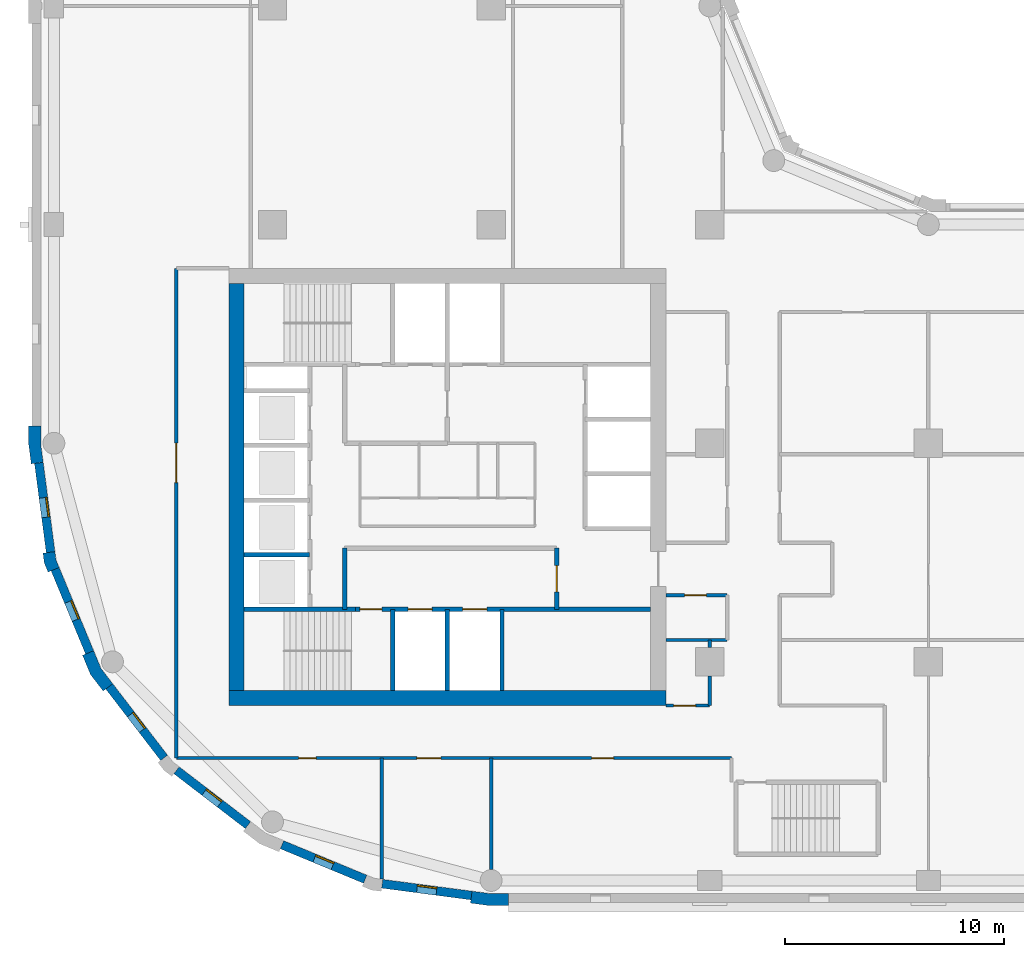
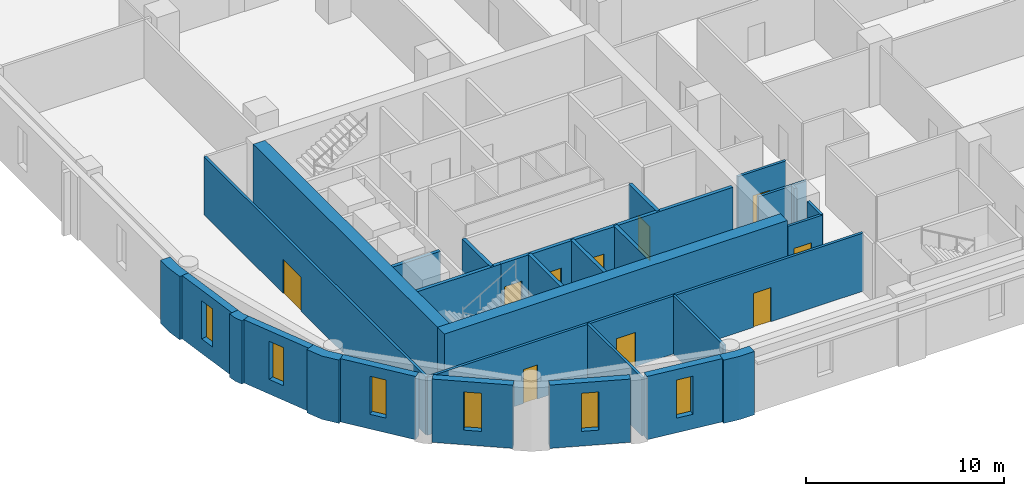
# One storey, part 2 of 9: 29 walls, 10 doors, 6 windows, 16 openings.
"""IFC4 building model written with IfcOpenShell, lengths in metres."""

from ifc_helpers import new_model, si_unit, direction, frame, frame_2d, origin, place, context, subcontext, project, spatial, polyline, rectangle, outline, extrude, material, layer, layer_set, type_object, element, fill, save


model = new_model("IFC4")

# Units and contexts
model_context = context("Model", 3, precision=1e-05, world=origin(), true_north=direction((0.0, 1.0)))
body_context = subcontext(model_context, "Body", "Model", "MODEL_VIEW")
ifc_project = project(units=[si_unit("LENGTHUNIT", "METRE"), si_unit("AREAUNIT", "SQUARE_METRE"), si_unit("VOLUMEUNIT", "CUBIC_METRE"), si_unit("PLANEANGLEUNIT", "RADIAN"), si_unit("MASSUNIT", "GRAM", prefix="KILO")], contexts=[model_context])

# Site, building, storey
site_placement = place(None, origin())
site = spatial("IfcSite", under=ifc_project, at=site_placement, CompositionType="ELEMENT")
building_placement = place(site_placement, origin())
building = spatial("IfcBuilding", under=site, at=building_placement, Name="Qaws Garden Tower", CompositionType="ELEMENT")
storey_placement = place(building_placement, frame((0.0, 0.0, 162.89990234375)))
storey = spatial("IfcBuildingStorey", under=building, at=storey_placement, Name="L39", CompositionType="ELEMENT", Elevation=162.89990234375)

# Wall, opening, window
ifc_material_1 = material(Name="Clay facing brick masonry", Category="masonry")
ifc_layer_1 = layer(ifc_material_1, 0.39990234375)
ifc_layer_set_1 = layer_set([ifc_layer_1], Name="Clay facing brick masonry")
wall_type_1 = type_object("IfcWallType", Name="Brick infill wall 400", PredefinedType="SOLIDWALL", material=ifc_layer_set_1)
wall_1_placement = place(storey_placement, frame((-0.688720703125, 19.102294921875, 0.0), z_axis=(0.0, 0.0, 1.0), x_axis=(0.130514280502, -0.991446429508, 0.0)))
wall_1 = element("IfcWall", 1, at=wall_1_placement, inside=storey, type_object=wall_type_1, Name="E-L39-infill-25", PredefinedType="SOLIDWALL", context=body_context, shape_type="SweptSolid", body=[
    extrude(rectangle(XDim=4.120849609375, YDim=0.39990234375, at=frame_2d((2.060546875, 0.0))), origin(), (0.0, 0.0, 1.0), 3.900146484375),
])
opening_1_placement = place(wall_1_placement, frame((1.610595703125, 0.0, 0.89990234375)))
opening_1 = element("IfcOpeningElement", 2, at=opening_1_placement, cuts=wall_1, Name="Opening W09", PredefinedType="OPENING", context=body_context, shape_type="SweptSolid", body=[
    extrude(rectangle(XDim=0.89990234375, YDim=2.35009765625, at=frame_2d((0.449951171875, 1.175048828125))), frame((0.0, 0.2099609375, 0.0), z_axis=(0.0, -1.0, 0.0), x_axis=(1.0, 0.0, 0.0)), (0.0, 0.0, 1.0), 0.419921875),
])
ifc_material_2 = material(Name="Aluminium framed window, clear glazing", Category="aluminium")
window_type = type_object("IfcWindowType", Name="Slit window 900 x 2350", PartitioningType="SINGLE_PANEL", PredefinedType="WINDOW", material=ifc_material_2)
window_1_placement = place(opening_1_placement, origin())
window_1 = element("IfcWindow", 3, at=window_1_placement, inside=storey, type_object=window_type, Name="E-L39-window-25-0", OverallHeight=2.35009765625, OverallWidth=0.89990234375, PartitioningType="SINGLE_PANEL", PredefinedType="WINDOW", context=body_context, shape_type="SweptSolid", body=[
    extrude(rectangle(XDim=0.89990234375, YDim=2.35009765625, at=frame_2d((0.449951171875, 1.175048828125))), frame((0.0, 0.159912109375, 0.0), z_axis=(0.0, -1.0, 0.0), x_axis=(1.0, 0.0, 0.0)), (0.0, 0.0, 1.0), 0.06005859375),
])
fill(opening_1, window_1)

wall_2_placement = place(storey_placement, frame((0.05712890625, 14.240234375, 0.0), z_axis=(0.0, 0.0, 1.0), x_axis=(0.382721546029, -0.923863744394, 0.0)))
wall_2 = element("IfcWall", 4, at=wall_2_placement, inside=storey, type_object=wall_type_1, Name="E-L39-infill-26", PredefinedType="SOLIDWALL", context=body_context, shape_type="SweptSolid", body=[
    extrude(rectangle(XDim=4.120849609375, YDim=0.39990234375, at=frame_2d((2.060546875, 0.0))), origin(), (0.0, 0.0, 1.0), 3.900146484375),
])
opening_2_placement = place(wall_2_placement, frame((1.610595703125, 0.0, 0.89990234375)))
opening_2 = element("IfcOpeningElement", 5, at=opening_2_placement, cuts=wall_2, Name="Opening W09", PredefinedType="OPENING", context=body_context, shape_type="SweptSolid", body=[
    extrude(rectangle(XDim=0.89990234375, YDim=2.35009765625, at=frame_2d((0.449951171875, 1.175048828125))), frame((0.0, 0.2099609375, 0.0), z_axis=(0.0, -1.0, 0.0), x_axis=(1.0, 0.0, 0.0)), (0.0, 0.0, 1.0), 0.419921875),
])
window_2_placement = place(opening_2_placement, origin())
window_2 = element("IfcWindow", 6, at=window_2_placement, inside=storey, type_object=window_type, Name="E-L39-window-26-0", OverallHeight=2.35009765625, OverallWidth=0.89990234375, PartitioningType="SINGLE_PANEL", PredefinedType="WINDOW", context=body_context, shape_type="SweptSolid", body=[
    extrude(rectangle(XDim=0.89990234375, YDim=2.35009765625, at=frame_2d((0.449951171875, 1.175048828125))), frame((0.0, 0.159912109375, 0.0), z_axis=(0.0, -1.0, 0.0), x_axis=(1.0, 0.0, 0.0)), (0.0, 0.0, 1.0), 0.06005859375),
])
fill(opening_2, window_2)

wall_3_placement = place(storey_placement, frame((2.53173828125, 8.87841796875, 0.0), z_axis=(0.0, 0.0, 1.0), x_axis=(0.608759824817, -0.793354571229, 0.0)))
wall_3 = element("IfcWall", 7, at=wall_3_placement, inside=storey, type_object=wall_type_1, Name="E-L39-infill-27", PredefinedType="SOLIDWALL", context=body_context, shape_type="SweptSolid", body=[
    extrude(rectangle(XDim=4.12109375, YDim=0.39990234375, at=frame_2d((2.060546875, 0.0))), origin(), (0.0, 0.0, 1.0), 3.900146484375),
])
opening_3_placement = place(wall_3_placement, frame((1.610595703125, 0.0, 0.89990234375)))
opening_3 = element("IfcOpeningElement", 8, at=opening_3_placement, cuts=wall_3, Name="Opening W09", PredefinedType="OPENING", context=body_context, shape_type="SweptSolid", body=[
    extrude(rectangle(XDim=0.89990234375, YDim=2.35009765625, at=frame_2d((0.449951171875, 1.175048828125))), frame((0.0, 0.2099609375, 0.0), z_axis=(0.0, -1.0, 0.0), x_axis=(1.0, 0.0, 0.0)), (0.0, 0.0, 1.0), 0.419921875),
])
window_3_placement = place(opening_3_placement, origin())
window_3 = element("IfcWindow", 9, at=window_3_placement, inside=storey, type_object=window_type, Name="E-L39-window-27-0", OverallHeight=2.35009765625, OverallWidth=0.89990234375, PartitioningType="SINGLE_PANEL", PredefinedType="WINDOW", context=body_context, shape_type="SweptSolid", body=[
    extrude(rectangle(XDim=0.89990234375, YDim=2.35009765625, at=frame_2d((0.449951171875, 1.175048828125))), frame((0.0, 0.159912109375, 0.0), z_axis=(0.0, -1.0, 0.0), x_axis=(1.0, 0.0, 0.0)), (0.0, 0.0, 1.0), 0.06005859375),
])
fill(opening_3, window_3)

wall_4_placement = place(storey_placement, frame((5.60888671875, 5.04052734375, 0.0), z_axis=(0.0, 0.0, 1.0), x_axis=(0.793354571229, -0.608759824817, 0.0)))
wall_4 = element("IfcWall", 10, at=wall_4_placement, inside=storey, type_object=wall_type_1, Name="E-L39-infill-28", PredefinedType="SOLIDWALL", context=body_context, shape_type="SweptSolid", body=[
    extrude(rectangle(XDim=4.12109375, YDim=0.39990234375, at=frame_2d((2.060546875, 0.0))), origin(), (0.0, 0.0, 1.0), 3.900146484375),
])
opening_4_placement = place(wall_4_placement, frame((1.610595703125, 0.0, 0.89990234375)))
opening_4 = element("IfcOpeningElement", 11, at=opening_4_placement, cuts=wall_4, Name="Opening W09", PredefinedType="OPENING", context=body_context, shape_type="SweptSolid", body=[
    extrude(rectangle(XDim=0.89990234375, YDim=2.35009765625, at=frame_2d((0.449951171875, 1.175048828125))), frame((0.0, 0.2099609375, 0.0), z_axis=(0.0, -1.0, 0.0), x_axis=(1.0, 0.0, 0.0)), (0.0, 0.0, 1.0), 0.419921875),
])
window_4_placement = place(opening_4_placement, origin())
window_4 = element("IfcWindow", 12, at=window_4_placement, inside=storey, type_object=window_type, Name="E-L39-window-28-0", OverallHeight=2.35009765625, OverallWidth=0.89990234375, PartitioningType="SINGLE_PANEL", PredefinedType="WINDOW", context=body_context, shape_type="SweptSolid", body=[
    extrude(rectangle(XDim=0.89990234375, YDim=2.35009765625, at=frame_2d((0.449951171875, 1.175048828125))), frame((0.0, 0.159912109375, 0.0), z_axis=(0.0, -1.0, 0.0), x_axis=(1.0, 0.0, 0.0)), (0.0, 0.0, 1.0), 0.06005859375),
])
fill(opening_4, window_4)

wall_5_placement = place(storey_placement, frame((10.43310546875, 1.63427734375, 0.0), z_axis=(0.0, 0.0, 1.0), x_axis=(0.923863744394, -0.382721546029, 0.0)))
wall_5 = element("IfcWall", 13, at=wall_5_placement, inside=storey, type_object=wall_type_1, Name="E-L39-infill-29", PredefinedType="SOLIDWALL", context=body_context, shape_type="SweptSolid", body=[
    extrude(rectangle(XDim=4.120849609375, YDim=0.39990234375, at=frame_2d((2.060546875, 0.0))), origin(), (0.0, 0.0, 1.0), 3.900146484375),
])
opening_5_placement = place(wall_5_placement, frame((1.610595703125, 0.0, 0.89990234375)))
opening_5 = element("IfcOpeningElement", 14, at=opening_5_placement, cuts=wall_5, Name="Opening W09", PredefinedType="OPENING", context=body_context, shape_type="SweptSolid", body=[
    extrude(rectangle(XDim=0.89990234375, YDim=2.35009765625, at=frame_2d((0.449951171875, 1.175048828125))), frame((0.0, 0.2099609375, 0.0), z_axis=(0.0, -1.0, 0.0), x_axis=(1.0, 0.0, 0.0)), (0.0, 0.0, 1.0), 0.419921875),
])
window_5_placement = place(opening_5_placement, origin())
window_5 = element("IfcWindow", 15, at=window_5_placement, inside=storey, type_object=window_type, Name="E-L39-window-29-0", OverallHeight=2.35009765625, OverallWidth=0.89990234375, PartitioningType="SINGLE_PANEL", PredefinedType="WINDOW", context=body_context, shape_type="SweptSolid", body=[
    extrude(rectangle(XDim=0.89990234375, YDim=2.35009765625, at=frame_2d((0.449951171875, 1.175048828125))), frame((0.0, 0.159912109375, 0.0), z_axis=(0.0, -1.0, 0.0), x_axis=(1.0, 0.0, 0.0)), (0.0, 0.0, 1.0), 0.06005859375),
])
fill(opening_5, window_5)

wall_6_placement = place(storey_placement, frame((15.0166015625, -0.15087890625, 0.0), z_axis=(0.0, 0.0, 1.0), x_axis=(0.991446429508, -0.130514280502, 0.0)))
wall_6 = element("IfcWall", 16, at=wall_6_placement, inside=storey, type_object=wall_type_1, Name="E-L39-infill-30", PredefinedType="SOLIDWALL", context=body_context, shape_type="SweptSolid", body=[
    extrude(rectangle(XDim=4.120849609375, YDim=0.39990234375, at=frame_2d((2.060546875, 0.0))), origin(), (0.0, 0.0, 1.0), 3.900146484375),
])
opening_6_placement = place(wall_6_placement, frame((1.610595703125, 0.0, 0.89990234375)))
opening_6 = element("IfcOpeningElement", 17, at=opening_6_placement, cuts=wall_6, Name="Opening W09", PredefinedType="OPENING", context=body_context, shape_type="SweptSolid", body=[
    extrude(rectangle(XDim=0.89990234375, YDim=2.35009765625, at=frame_2d((0.449951171875, 1.175048828125))), frame((0.0, 0.2099609375, 0.0), z_axis=(0.0, -1.0, 0.0), x_axis=(1.0, 0.0, 0.0)), (0.0, 0.0, 1.0), 0.419921875),
])
window_6_placement = place(opening_6_placement, origin())
window_6 = element("IfcWindow", 18, at=window_6_placement, inside=storey, type_object=window_type, Name="E-L39-window-30-0", OverallHeight=2.35009765625, OverallWidth=0.89990234375, PartitioningType="SINGLE_PANEL", PredefinedType="WINDOW", context=body_context, shape_type="SweptSolid", body=[
    extrude(rectangle(XDim=0.89990234375, YDim=2.35009765625, at=frame_2d((0.449951171875, 1.175048828125))), frame((0.0, 0.159912109375, 0.0), z_axis=(0.0, -1.0, 0.0), x_axis=(1.0, 0.0, 0.0)), (0.0, 0.0, 1.0), 0.06005859375),
])
fill(opening_6, window_6)

# Walls
ifc_material_3 = material(Name="Clay facing brick masonry", Category="masonry")
ifc_layer_2 = layer(ifc_material_3, 0.550048828125)
ifc_layer_set_2 = layer_set([ifc_layer_2], Name="Clay facing brick masonry")
wall_type_2 = type_object("IfcWallType", Name="Brick kink pier 550 x 600", PredefinedType="SOLIDWALL", material=ifc_layer_set_2)
placement = place(storey_placement, origin())
element("IfcWall", 19, at=placement, inside=storey, type_object=wall_type_2, Name="E-L39-pier-26", PredefinedType="SOLIDWALL", context=body_context, shape_type="SweptSolid", body=[
    extrude(outline(polyline([(-0.34912109375, 14.990478515625), (-0.497802734375, 14.970947265625), (-0.43896484375, 14.5234375), (-0.26611328125, 14.1064453125), (-0.127685546875, 14.163818359375), (0.241943359375, 14.31689453125), (0.096923828125, 14.6669921875), (0.04736328125, 15.042724609375), (-0.34912109375, 14.990478515625)])), origin(), (0.0, 0.0, 1.0), 3.900146484375),
])
ifc_material_4 = material(Name="Clay facing brick masonry", Category="masonry")
ifc_layer_3 = layer(ifc_material_4, 0.550048828125)
ifc_layer_set_3 = layer_set([ifc_layer_3], Name="Clay facing brick masonry")
wall_type_3 = type_object("IfcWallType", Name="Brick pier 550 x 1600", PredefinedType="SOLIDWALL", material=ifc_layer_set_3)
element("IfcWall", 20, at=placement, inside=storey, type_object=wall_type_3, Name="E-L39-pier-00", PredefinedType="SOLIDWALL", context=body_context, shape_type="SweptSolid", body=[
    extrude(outline(polyline([(19.076416015625, -0.886962890625), (19.056640625, -1.03564453125), (19.924560546875, -1.14990234375), (20.800048828125, -1.14990234375), (20.800048828125, -1.0), (20.800048828125, -0.60009765625), (19.960693359375, -0.60009765625), (19.12841796875, -0.490478515625), (19.076416015625, -0.886962890625)])), origin(), (0.0, 0.0, 1.0), 3.900146484375),
])
element("IfcWall", 21, at=placement, inside=storey, type_object=wall_type_3, Name="E-L39-pier-25", PredefinedType="SOLIDWALL", context=body_context, shape_type="SweptSolid", body=[
    extrude(outline(polyline([(-1.0, 20.800048828125), (-1.14990234375, 20.800048828125), (-1.14990234375, 19.924560546875), (-1.03564453125, 19.056640625), (-0.886962890625, 19.076416015625), (-0.490478515625, 19.12841796875), (-0.60009765625, 19.960693359375), (-0.60009765625, 20.800048828125), (-1.0, 20.800048828125)])), origin(), (0.0, 0.0, 1.0), 3.900146484375),
])
element("IfcWall", 22, at=placement, inside=storey, type_object=wall_type_3, Name="E-L39-pier-27", PredefinedType="SOLIDWALL", context=body_context, shape_type="SweptSolid", body=[
    extrude(outline(polyline([(1.449462890625, 10.3564453125), (1.310791015625, 10.299072265625), (1.675048828125, 9.419921875), (2.254150390625, 8.665283203125), (2.373046875, 8.756591796875), (2.6904296875, 9.0), (2.1552734375, 9.697509765625), (1.819091796875, 10.509521484375), (1.449462890625, 10.3564453125)])), origin(), (0.0, 0.0, 1.0), 3.900146484375),
])
ifc_material_5 = material(Name="Concrete C70", Category="concrete")
ifc_layer_4 = layer(ifc_material_5, 0.199951171875)
ifc_layer_set_4 = layer_set([ifc_layer_4], Name="Concrete C70")
wall_type_4 = type_object("IfcWallType", Name="Core shaft wall 200 C70", PredefinedType="SHEAR", material=ifc_layer_set_4)
wall_11_placement = place(storey_placement, frame((8.699951171875, 12.39990234375, 0.0), z_axis=(0.0, 0.0, 1.0), x_axis=(1.0, 0.0, 0.0)))
element("IfcWall", 23, at=wall_11_placement, inside=storey, type_object=wall_type_4, Name="Shaft wall", PredefinedType="SHEAR", context=body_context, shape_type="SweptSolid", body=[
    extrude(rectangle(XDim=5.10009765625, YDim=0.199951171875, at=frame_2d((2.550048828125, 0.0))), origin(), (0.0, 0.0, 1.0), 3.580078125),
])

# Wall, openings, doors
wall_12_placement = place(storey_placement, frame((13.800048828125, 12.39990234375, 0.0), z_axis=(0.0, 0.0, 1.0), x_axis=(1.0, 0.0, 0.0)))
wall_12 = element("IfcWall", 24, at=wall_12_placement, inside=storey, type_object=wall_type_4, Name="Shaft wall", PredefinedType="SHEAR", context=body_context, shape_type="SweptSolid", body=[
    extrude(rectangle(XDim=13.5, YDim=0.199951171875, at=frame_2d((6.75, 0.0))), origin(), (0.0, 0.0, 1.0), 3.580078125),
])
opening_7_placement = place(wall_12_placement, frame((2.39990234375, 0.0, 0.0)))
opening_7 = element("IfcOpeningElement", 25, at=opening_7_placement, cuts=wall_12, Name="Opening LD06", PredefinedType="OPENING", context=body_context, shape_type="SweptSolid", body=[
    extrude(rectangle(XDim=1.10009765625, YDim=2.10009765625, at=frame_2d((0.550048828125, 1.050048828125))), frame((0.0, 0.10986328125, 0.0), z_axis=(0.0, -1.0, 0.0), x_axis=(1.0, 0.0, 0.0)), (0.0, 0.0, 1.0), 0.219970703125),
])
opening_8_placement = place(wall_12_placement, frame((4.89990234375, 0.0, 0.0)))
opening_8 = element("IfcOpeningElement", 26, at=opening_8_placement, cuts=wall_12, Name="Opening LD07", PredefinedType="OPENING", context=body_context, shape_type="SweptSolid", body=[
    extrude(rectangle(XDim=1.10009765625, YDim=2.10009765625, at=frame_2d((0.550048828125, 1.050048828125))), frame((0.0, 0.10986328125, 0.0), z_axis=(0.0, -1.0, 0.0), x_axis=(1.0, 0.0, 0.0)), (0.0, 0.0, 1.0), 0.219970703125),
])
opening_9_placement = place(wall_12_placement, frame((0.199951171875, 0.0, 0.0)))
opening_9 = element("IfcOpeningElement", 27, at=opening_9_placement, cuts=wall_12, Name="Opening SD10", PredefinedType="OPENING", context=body_context, shape_type="SweptSolid", body=[
    extrude(rectangle(XDim=1.0, YDim=2.10009765625, at=frame_2d((0.5, 1.050048828125))), frame((0.0, 0.10986328125, 0.0), z_axis=(0.0, -1.0, 0.0), x_axis=(1.0, 0.0, 0.0)), (0.0, 0.0, 1.0), 0.219970703125),
])
ifc_material_6 = material(Name="Steel S235", Category="steel")
door_type_1 = type_object("IfcDoorType", Name="Landing door 1100x2100", OperationType="DOUBLE_DOOR_SLIDING", PredefinedType="DOOR", material=ifc_material_6)
door_1_placement = place(opening_7_placement, origin())
door_1 = element("IfcDoor", 28, at=door_1_placement, inside=storey, type_object=door_type_1, Name="Lift FF1 landing door", OperationType="DOUBLE_DOOR_SLIDING", OverallHeight=2.10009765625, OverallWidth=1.10009765625, PredefinedType="DOOR", context=body_context, shape_type="SweptSolid", body=[
    extrude(rectangle(XDim=1.10009765625, YDim=2.10009765625, at=frame_2d((0.550048828125, 1.050048828125))), frame((0.0, 0.02490234375, 0.0), z_axis=(0.0, -1.0, 0.0), x_axis=(1.0, 0.0, 0.0)), (0.0, 0.0, 1.0), 0.050048828125),
])
fill(opening_7, door_1)
door_2_placement = place(opening_8_placement, origin())
door_2 = element("IfcDoor", 29, at=door_2_placement, inside=storey, type_object=door_type_1, Name="Lift FF2 landing door", OperationType="DOUBLE_DOOR_SLIDING", OverallHeight=2.10009765625, OverallWidth=1.10009765625, PredefinedType="DOOR", context=body_context, shape_type="SweptSolid", body=[
    extrude(rectangle(XDim=1.10009765625, YDim=2.10009765625, at=frame_2d((0.550048828125, 1.050048828125))), frame((0.0, 0.02490234375, 0.0), z_axis=(0.0, -1.0, 0.0), x_axis=(1.0, 0.0, 0.0)), (0.0, 0.0, 1.0), 0.050048828125),
])
fill(opening_8, door_2)
ifc_material_7 = material(Name="Steel S235", Category="steel")
door_type_2 = type_object("IfcDoorType", Name="Stair door 1000x2100", OperationType="SINGLE_SWING_RIGHT", PredefinedType="DOOR", material=ifc_material_7)
door_3_placement = place(opening_9_placement, frame((1.0, 0.0, 0.0), z_axis=(0.0, 0.0, 1.0), x_axis=(-1.0, 0.0, 0.0)))
door_3 = element("IfcDoor", 30, at=door_3_placement, inside=storey, type_object=door_type_2, Name="Stair 1 door", OperationType="SINGLE_SWING_LEFT", OverallHeight=2.10009765625, OverallWidth=1.0, PredefinedType="DOOR", context=body_context, shape_type="SweptSolid", body=[
    extrude(rectangle(XDim=1.0, YDim=2.10009765625, at=frame_2d((0.5, 1.050048828125))), frame((0.0, 0.02490234375, 0.0), z_axis=(0.0, -1.0, 0.0), x_axis=(1.0, 0.0, 0.0)), (0.0, 0.0, 1.0), 0.050048828125),
])
fill(opening_9, door_3)

# Walls
wall_13_placement = place(storey_placement, frame((8.699951171875, 14.89990234375, 0.0), z_axis=(0.0, 0.0, 1.0), x_axis=(1.0, 0.0, 0.0)))
element("IfcWall", 31, at=wall_13_placement, inside=storey, type_object=wall_type_4, Name="Shaft wall", PredefinedType="SHEAR", context=body_context, shape_type="SweptSolid", body=[
    extrude(rectangle(XDim=3.0, YDim=0.199951171875, at=frame_2d((1.5, 0.0))), origin(), (0.0, 0.0, 1.0), 3.580078125),
])
wall_14_placement = place(storey_placement, frame((13.300048828125, 12.39990234375, 0.0), z_axis=(0.0, 0.0, 1.0), x_axis=(0.0, 1.0, 0.0)))
element("IfcWall", 32, at=wall_14_placement, inside=storey, type_object=wall_type_4, Name="Shaft wall", PredefinedType="SHEAR", context=body_context, shape_type="SweptSolid", body=[
    extrude(rectangle(XDim=2.800048828125, YDim=0.199951171875, at=frame_2d((1.39990234375, 0.0))), origin(), (0.0, 0.0, 1.0), 3.580078125),
])
for number, where, z_axis, x_axis, name in (
    (33, (15.5, 8.699951171875, 0.0), (0.0, 0.0, 1.0), (0.0, 1.0, 0.0), "Shaft wall"),
    (34, (18.0, 8.699951171875, 0.0), (0.0, 0.0, 1.0), (0.0, 1.0, 0.0), "Shaft wall"),
    (35, (20.5, 8.699951171875, 0.0), (0.0, 0.0, 1.0), (0.0, 1.0, 0.0), "Shaft wall"),
):
    element("IfcWall", number, at=place(storey_placement, frame(where, z_axis=z_axis, x_axis=x_axis)), inside=storey, type_object=wall_type_4, Name=name, PredefinedType="SHEAR", context=body_context, shape_type="SweptSolid", body=[
        extrude(rectangle(XDim=3.699951171875, YDim=0.199951171875, at=frame_2d((1.85009765625, 0.0))), origin(), (0.0, 0.0, 1.0), 3.580078125),
    ])

# Wall, opening, door
wall_15_placement = place(storey_placement, frame((23.0, 12.39990234375, 0.0), z_axis=(0.0, 0.0, 1.0), x_axis=(0.0, 1.0, 0.0)))
wall_15 = element("IfcWall", 36, at=wall_15_placement, inside=storey, type_object=wall_type_4, Name="Shaft wall", PredefinedType="SHEAR", context=body_context, shape_type="SweptSolid", body=[
    extrude(rectangle(XDim=2.800048828125, YDim=0.199951171875, at=frame_2d((1.39990234375, 0.0))), origin(), (0.0, 0.0, 1.0), 3.580078125),
])
opening_10_placement = place(wall_15_placement, frame((0.800048828125, 0.0, 0.0)))
opening_10 = element("IfcOpeningElement", 37, at=opening_10_placement, cuts=wall_15, Name="Opening FD15", PredefinedType="OPENING", context=body_context, shape_type="SweptSolid", body=[
    extrude(rectangle(XDim=1.199951171875, YDim=2.10009765625, at=frame_2d((0.60009765625, 1.050048828125))), frame((0.0, 0.10986328125, 0.0), z_axis=(0.0, -1.0, 0.0), x_axis=(1.0, 0.0, 0.0)), (0.0, 0.0, 1.0), 0.219970703125),
])
ifc_material_8 = material(Name="Steel S235", Category="steel")
door_type_3 = type_object("IfcDoorType", Name="Lobby door 1200x2100", OperationType="DOUBLE_DOOR_SINGLE_SWING", PredefinedType="DOOR", material=ifc_material_8)
door_4_placement = place(opening_10_placement, origin())
door_4 = element("IfcDoor", 38, at=door_4_placement, inside=storey, type_object=door_type_3, Name="Fire-fighting lobby door", OperationType="DOUBLE_DOOR_SINGLE_SWING", OverallHeight=2.10009765625, OverallWidth=1.199951171875, PredefinedType="DOOR", context=body_context, shape_type="SweptSolid", body=[
    extrude(rectangle(XDim=1.199951171875, YDim=2.10009765625, at=frame_2d((0.60009765625, 1.050048828125))), frame((0.0, 0.02490234375, 0.0), z_axis=(0.0, -1.0, 0.0), x_axis=(1.0, 0.0, 0.0)), (0.0, 0.0, 1.0), 0.050048828125),
])
fill(opening_10, door_4)

# Walls
ifc_material_9 = material(Name="Concrete C70", Category="concrete")
ifc_layer_5 = layer(ifc_material_9, 0.699951171875)
ifc_layer_set_5 = layer_set([ifc_layer_5], Name="Concrete C70")
wall_type_5 = type_object("IfcWallType", Name="Core wall 700 C70", PredefinedType="SHEAR", material=ifc_layer_set_5)
wall_16_placement = place(storey_placement, frame((8.0, 8.35009765625, 0.0), z_axis=(0.0, 0.0, 1.0), x_axis=(1.0, 0.0, 0.0)))
element("IfcWall", 39, at=wall_16_placement, inside=storey, type_object=wall_type_5, Name="Core wall L39 south", PredefinedType="SHEAR", context=body_context, shape_type="SweptSolid", body=[
    extrude(rectangle(XDim=20.0, YDim=0.699951171875, at=frame_2d((10.0, 0.0))), origin(), (0.0, 0.0, 1.0), 3.900146484375),
])
wall_17_placement = place(storey_placement, frame((8.35009765625, 27.300048828125, 0.0), z_axis=(0.0, 0.0, 1.0), x_axis=(0.0, -1.0, 0.0)))
element("IfcWall", 40, at=wall_17_placement, inside=storey, type_object=wall_type_5, Name="Core wall L39 west", PredefinedType="SHEAR", context=body_context, shape_type="SweptSolid", body=[
    extrude(rectangle(XDim=18.60009765625, YDim=0.699951171875, at=frame_2d((9.300048828125, 0.0))), origin(), (0.0, 0.0, 1.0), 3.900146484375),
])

# Wall, opening, door
ifc_material_10 = material(Name="Gypsum board partition")
ifc_layer_6 = layer(ifc_material_10, 0.14990234375)
ifc_layer_set_6 = layer_set([ifc_layer_6], Name="Gypsum board partition")
wall_type_6 = type_object("IfcWallType", Name="PARTITION 150 EI 60", PredefinedType="PARTITIONING", material=ifc_layer_set_6)
wall_18_placement = place(storey_placement, frame((5.60009765625, 5.60009765625, 0.0), z_axis=(0.0, 0.0, 1.0), x_axis=(0.0, 1.0, 0.0)))
wall_18 = element("IfcWall", 41, at=wall_18_placement, inside=storey, type_object=wall_type_6, Name="O-L39-wall-006", PredefinedType="PARTITIONING", context=body_context, shape_type="SweptSolid", body=[
    extrude(rectangle(XDim=22.39990234375, YDim=0.14990234375, at=frame_2d((11.199951171875, 0.0))), origin(), (0.0, 0.0, 1.0), 3.580078125),
])
opening_11_placement = place(wall_18_placement, frame((12.60009765625, 0.0, 0.0)))
opening_11 = element("IfcOpeningElement", 42, at=opening_11_placement, cuts=wall_18, Name="Opening B311", PredefinedType="OPENING", context=body_context, shape_type="SweptSolid", body=[
    extrude(rectangle(XDim=1.800048828125, YDim=2.10009765625, at=frame_2d((0.89990234375, 1.050048828125))), frame((0.0, 0.0849609375, 0.0), z_axis=(0.0, -1.0, 0.0), x_axis=(1.0, 0.0, 0.0)), (0.0, 0.0, 1.0), 0.169921875),
])
ifc_material_11 = material(Name="Timber door leaf", Category="wood")
door_type_4 = type_object("IfcDoorType", Name="DOUBLE DOOR 1800 X 2100", OperationType="DOUBLE_DOOR_SINGLE_SWING", PredefinedType="DOOR", material=ifc_material_11)
door_5_placement = place(opening_11_placement, origin())
door_5 = element("IfcDoor", 43, at=door_5_placement, inside=storey, type_object=door_type_4, Name="O-L39-door-011", OperationType="DOUBLE_DOOR_SINGLE_SWING", OverallHeight=2.10009765625, OverallWidth=1.800048828125, PredefinedType="DOOR", context=body_context, shape_type="SweptSolid", body=[
    extrude(rectangle(XDim=1.800048828125, YDim=2.10009765625, at=frame_2d((0.89990234375, 1.050048828125))), frame((0.0, 0.02490234375, 0.0), z_axis=(0.0, -1.0, 0.0), x_axis=(1.0, 0.0, 0.0)), (0.0, 0.0, 1.0), 0.050048828125),
])
fill(opening_11, door_5)

# Walls
wall_19_placement = place(storey_placement, frame((15.0, 0.06298828125, 0.0), z_axis=(0.0, 0.0, 1.0), x_axis=(0.0, 1.0, 0.0)))
element("IfcWall", 44, at=wall_19_placement, inside=storey, type_object=wall_type_6, Name="O-L39-wall-010", PredefinedType="PARTITIONING", context=body_context, shape_type="SweptSolid", body=[
    extrude(rectangle(XDim=5.537109375, YDim=0.14990234375, at=frame_2d((2.7685546875, 0.0))), origin(), (0.0, 0.0, 1.0), 3.580078125),
])
wall_20_placement = place(storey_placement, frame((20.0, 0.5, 0.0), z_axis=(0.0, 0.0, 1.0), x_axis=(0.0, 1.0, 0.0)))
element("IfcWall", 45, at=wall_20_placement, inside=storey, type_object=wall_type_6, Name="O-L39-wall-012", PredefinedType="PARTITIONING", context=body_context, shape_type="SweptSolid", body=[
    extrude(rectangle(XDim=5.10009765625, YDim=0.14990234375, at=frame_2d((2.550048828125, 0.0))), origin(), (0.0, 0.0, 1.0), 3.580078125),
])
wall_21_placement = place(storey_placement, frame((30.0, 8.0, 0.0), z_axis=(0.0, 0.0, 1.0), x_axis=(0.0, 1.0, 0.0)))
element("IfcWall", 46, at=wall_21_placement, inside=storey, type_object=wall_type_6, Name="O-L39-wall-016", PredefinedType="PARTITIONING", context=body_context, shape_type="SweptSolid", body=[
    extrude(rectangle(XDim=1.35009765625, YDim=0.14990234375, at=frame_2d((0.675048828125, 0.0))), origin(), (0.0, 0.0, 1.0), 3.580078125),
])
wall_22_placement = place(storey_placement, frame((30.0, 10.64990234375, 0.0), z_axis=(0.0, 0.0, 1.0), x_axis=(0.0, 1.0, 0.0)))
element("IfcWall", 47, at=wall_22_placement, inside=storey, type_object=wall_type_6, Name="O-L39-wall-017", PredefinedType="PARTITIONING", context=body_context, shape_type="SweptSolid", body=[
    extrude(rectangle(XDim=0.35009765625, YDim=0.14990234375, at=frame_2d((0.175048828125, 0.0))), origin(), (0.0, 0.0, 1.0), 3.580078125),
])

# Wall, openings, doors
wall_23_placement = place(storey_placement, frame((5.60009765625, 5.60009765625, 0.0), z_axis=(0.0, 0.0, 1.0), x_axis=(1.0, 0.0, 0.0)))
wall_23 = element("IfcWall", 48, at=wall_23_placement, inside=storey, type_object=wall_type_6, Name="O-L39-wall-030", PredefinedType="PARTITIONING", context=body_context, shape_type="SweptSolid", body=[
    extrude(rectangle(XDim=25.39990234375, YDim=0.14990234375, at=frame_2d((12.699951171875, 0.0))), origin(), (0.0, 0.0, 1.0), 3.580078125),
])
opening_12_placement = place(wall_23_placement, frame((5.60009765625, 0.0, 0.0)))
opening_12 = element("IfcOpeningElement", 49, at=opening_12_placement, cuts=wall_23, Name="Opening B301", PredefinedType="OPENING", context=body_context, shape_type="SweptSolid", body=[
    extrude(rectangle(XDim=0.800048828125, YDim=2.10009765625, at=frame_2d((0.39990234375, 1.050048828125))), frame((0.0, 0.0849609375, 0.0), z_axis=(0.0, -1.0, 0.0), x_axis=(1.0, 0.0, 0.0)), (0.0, 0.0, 1.0), 0.169921875),
])
opening_13_placement = place(wall_23_placement, frame((11.0, 0.0, 0.0)))
opening_13 = element("IfcOpeningElement", 50, at=opening_13_placement, cuts=wall_23, Name="Opening B302", PredefinedType="OPENING", context=body_context, shape_type="SweptSolid", body=[
    extrude(rectangle(XDim=1.10009765625, YDim=2.10009765625, at=frame_2d((0.550048828125, 1.050048828125))), frame((0.0, 0.0849609375, 0.0), z_axis=(0.0, -1.0, 0.0), x_axis=(1.0, 0.0, 0.0)), (0.0, 0.0, 1.0), 0.169921875),
])
opening_14_placement = place(wall_23_placement, frame((19.0, 0.0, 0.0)))
opening_14 = element("IfcOpeningElement", 51, at=opening_14_placement, cuts=wall_23, Name="Opening B303", PredefinedType="OPENING", context=body_context, shape_type="SweptSolid", body=[
    extrude(rectangle(XDim=1.0, YDim=2.10009765625, at=frame_2d((0.5, 1.050048828125))), frame((0.0, 0.0849609375, 0.0), z_axis=(0.0, -1.0, 0.0), x_axis=(1.0, 0.0, 0.0)), (0.0, 0.0, 1.0), 0.169921875),
])
ifc_material_12 = material(Name="Timber door leaf", Category="wood")
door_type_5 = type_object("IfcDoorType", Name="SERVICE ROOM DOOR 1100 X 2100", OperationType="SINGLE_SWING_LEFT", PredefinedType="DOOR", material=ifc_material_12)
door_6_placement = place(opening_13_placement, frame((1.10009765625, 0.0, 0.0), z_axis=(0.0, 0.0, 1.0), x_axis=(-1.0, 0.0, 0.0)))
door_6 = element("IfcDoor", 52, at=door_6_placement, inside=storey, type_object=door_type_5, Name="O-L39-door-002", OperationType="SINGLE_SWING_LEFT", OverallHeight=2.10009765625, OverallWidth=1.10009765625, PredefinedType="DOOR", context=body_context, shape_type="SweptSolid", body=[
    extrude(rectangle(XDim=1.10009765625, YDim=2.10009765625, at=frame_2d((0.550048828125, 1.050048828125))), frame((0.0, 0.02490234375, 0.0), z_axis=(0.0, -1.0, 0.0), x_axis=(1.0, 0.0, 0.0)), (0.0, 0.0, 1.0), 0.050048828125),
])
fill(opening_13, door_6)
ifc_material_13 = material(Name="Timber door leaf", Category="wood")
door_type_6 = type_object("IfcDoorType", Name="STORE DOOR 800 X 2100", OperationType="SINGLE_SWING_LEFT", PredefinedType="DOOR", material=ifc_material_13)
door_7_placement = place(opening_12_placement, frame((0.800048828125, 0.0, 0.0), z_axis=(0.0, 0.0, 1.0), x_axis=(-1.0, 0.0, 0.0)))
door_7 = element("IfcDoor", 53, at=door_7_placement, inside=storey, type_object=door_type_6, Name="O-L39-door-001", OperationType="SINGLE_SWING_LEFT", OverallHeight=2.10009765625, OverallWidth=0.800048828125, PredefinedType="DOOR", context=body_context, shape_type="SweptSolid", body=[
    extrude(rectangle(XDim=0.800048828125, YDim=2.10009765625, at=frame_2d((0.39990234375, 1.050048828125))), frame((0.0, 0.02490234375, 0.0), z_axis=(0.0, -1.0, 0.0), x_axis=(1.0, 0.0, 0.0)), (0.0, 0.0, 1.0), 0.050048828125),
])
fill(opening_12, door_7)
ifc_material_14 = material(Name="Timber door leaf", Category="wood")
door_type_7 = type_object("IfcDoorType", Name="TENANCY ENTRANCE DOOR 1000 X 2100", OperationType="SINGLE_SWING_LEFT", PredefinedType="DOOR", material=ifc_material_14)
door_8_placement = place(opening_14_placement, frame((1.0, 0.0, 0.0), z_axis=(0.0, 0.0, 1.0), x_axis=(-1.0, 0.0, 0.0)))
door_8 = element("IfcDoor", 54, at=door_8_placement, inside=storey, type_object=door_type_7, Name="O-L39-door-003", OperationType="SINGLE_SWING_LEFT", OverallHeight=2.10009765625, OverallWidth=1.0, PredefinedType="DOOR", context=body_context, shape_type="SweptSolid", body=[
    extrude(rectangle(XDim=1.0, YDim=2.10009765625, at=frame_2d((0.5, 1.050048828125))), frame((0.0, 0.02490234375, 0.0), z_axis=(0.0, -1.0, 0.0), x_axis=(1.0, 0.0, 0.0)), (0.0, 0.0, 1.0), 0.050048828125),
])
fill(opening_14, door_8)

# Wall, opening, door
wall_24_placement = place(storey_placement, frame((28.0, 8.0, 0.0), z_axis=(0.0, 0.0, 1.0), x_axis=(1.0, 0.0, 0.0)))
wall_24 = element("IfcWall", 55, at=wall_24_placement, inside=storey, type_object=wall_type_6, Name="O-L39-wall-031", PredefinedType="PARTITIONING", context=body_context, shape_type="SweptSolid", body=[
    extrude(rectangle(XDim=2.0, YDim=0.14990234375, at=frame_2d((1.0, 0.0))), origin(), (0.0, 0.0, 1.0), 3.580078125),
])
opening_15_placement = place(wall_24_placement, frame((0.35009765625, 0.0, 0.0)))
opening_15 = element("IfcOpeningElement", 56, at=opening_15_placement, cuts=wall_24, Name="Opening B304", PredefinedType="OPENING", context=body_context, shape_type="SweptSolid", body=[
    extrude(rectangle(XDim=1.0, YDim=2.10009765625, at=frame_2d((0.5, 1.050048828125))), frame((0.0, 0.0849609375, 0.0), z_axis=(0.0, -1.0, 0.0), x_axis=(1.0, 0.0, 0.0)), (0.0, 0.0, 1.0), 0.169921875),
])
door_9_placement = place(opening_15_placement, origin())
door_9 = element("IfcDoor", 57, at=door_9_placement, inside=storey, type_object=door_type_7, Name="O-L39-door-004", OperationType="SINGLE_SWING_LEFT", OverallHeight=2.10009765625, OverallWidth=1.0, PredefinedType="DOOR", context=body_context, shape_type="SweptSolid", body=[
    extrude(rectangle(XDim=1.0, YDim=2.10009765625, at=frame_2d((0.5, 1.050048828125))), frame((0.0, 0.02490234375, 0.0), z_axis=(0.0, -1.0, 0.0), x_axis=(1.0, 0.0, 0.0)), (0.0, 0.0, 1.0), 0.050048828125),
])
fill(opening_15, door_9)

# Wall
wall_25_placement = place(storey_placement, frame((28.0, 11.0, 0.0), z_axis=(0.0, 0.0, 1.0), x_axis=(1.0, 0.0, 0.0)))
element("IfcWall", 58, at=wall_25_placement, inside=storey, type_object=wall_type_6, Name="O-L39-wall-033", PredefinedType="PARTITIONING", context=body_context, shape_type="SweptSolid", body=[
    extrude(rectangle(XDim=2.800048828125, YDim=0.14990234375, at=frame_2d((1.39990234375, 0.0))), origin(), (0.0, 0.0, 1.0), 3.580078125),
])

# Wall, opening, door
wall_26_placement = place(storey_placement, frame((28.0, 13.050048828125, 0.0), z_axis=(0.0, 0.0, 1.0), x_axis=(1.0, 0.0, 0.0)))
wall_26 = element("IfcWall", 59, at=wall_26_placement, inside=storey, type_object=wall_type_6, Name="O-L39-wall-035", PredefinedType="PARTITIONING", context=body_context, shape_type="SweptSolid", body=[
    extrude(rectangle(XDim=2.800048828125, YDim=0.14990234375, at=frame_2d((1.39990234375, 0.0))), origin(), (0.0, 0.0, 1.0), 3.580078125),
])
opening_16_placement = place(wall_26_placement, frame((0.85009765625, 0.0, 0.0)))
opening_16 = element("IfcOpeningElement", 60, at=opening_16_placement, cuts=wall_26, Name="Opening B319", PredefinedType="OPENING", context=body_context, shape_type="SweptSolid", body=[
    extrude(rectangle(XDim=1.0, YDim=2.10009765625, at=frame_2d((0.5, 1.050048828125))), frame((0.0, 0.0849609375, 0.0), z_axis=(0.0, -1.0, 0.0), x_axis=(1.0, 0.0, 0.0)), (0.0, 0.0, 1.0), 0.169921875),
])
door_10_placement = place(opening_16_placement, frame((1.0, 0.0, 0.0), z_axis=(0.0, 0.0, 1.0), x_axis=(-1.0, 0.0, 0.0)))
door_10 = element("IfcDoor", 61, at=door_10_placement, inside=storey, type_object=door_type_7, Name="O-L39-door-019", OperationType="SINGLE_SWING_LEFT", OverallHeight=2.10009765625, OverallWidth=1.0, PredefinedType="DOOR", context=body_context, shape_type="SweptSolid", body=[
    extrude(rectangle(XDim=1.0, YDim=2.10009765625, at=frame_2d((0.5, 1.050048828125))), frame((0.0, 0.02490234375, 0.0), z_axis=(0.0, -1.0, 0.0), x_axis=(1.0, 0.0, 0.0)), (0.0, 0.0, 1.0), 0.050048828125),
])
fill(opening_16, door_10)

save(model, "model.ifc")
